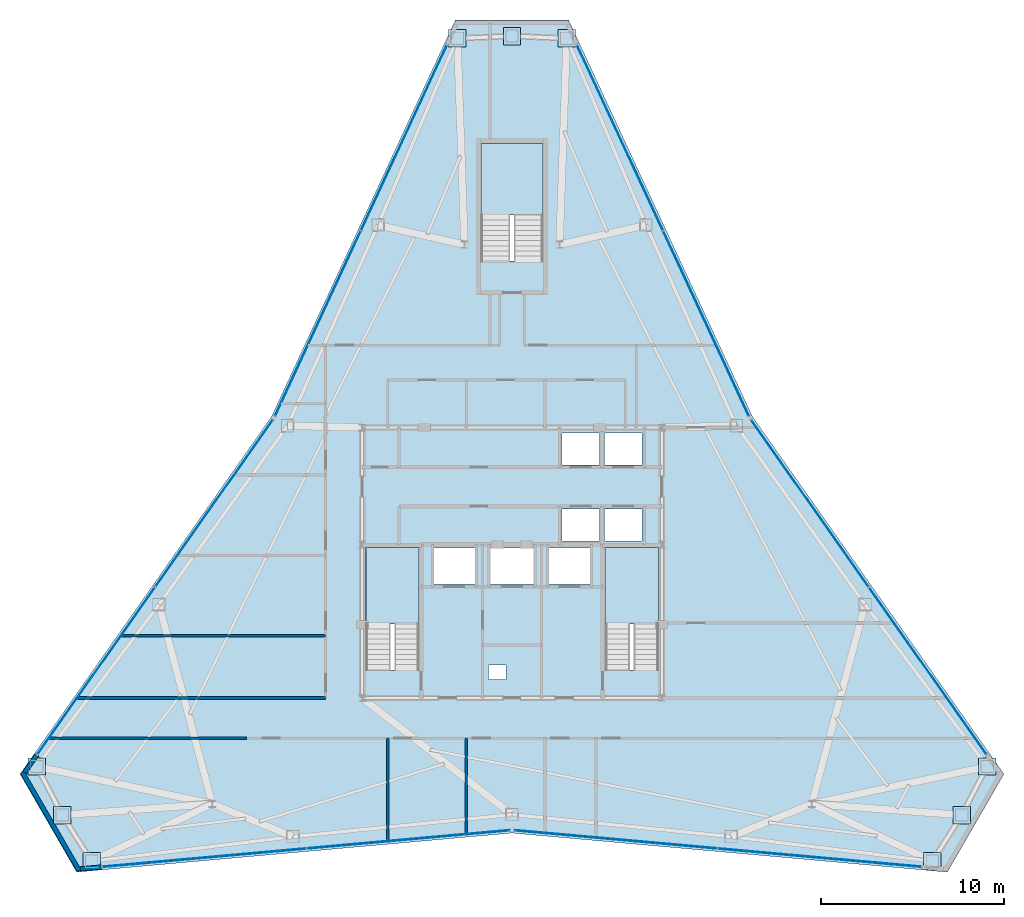
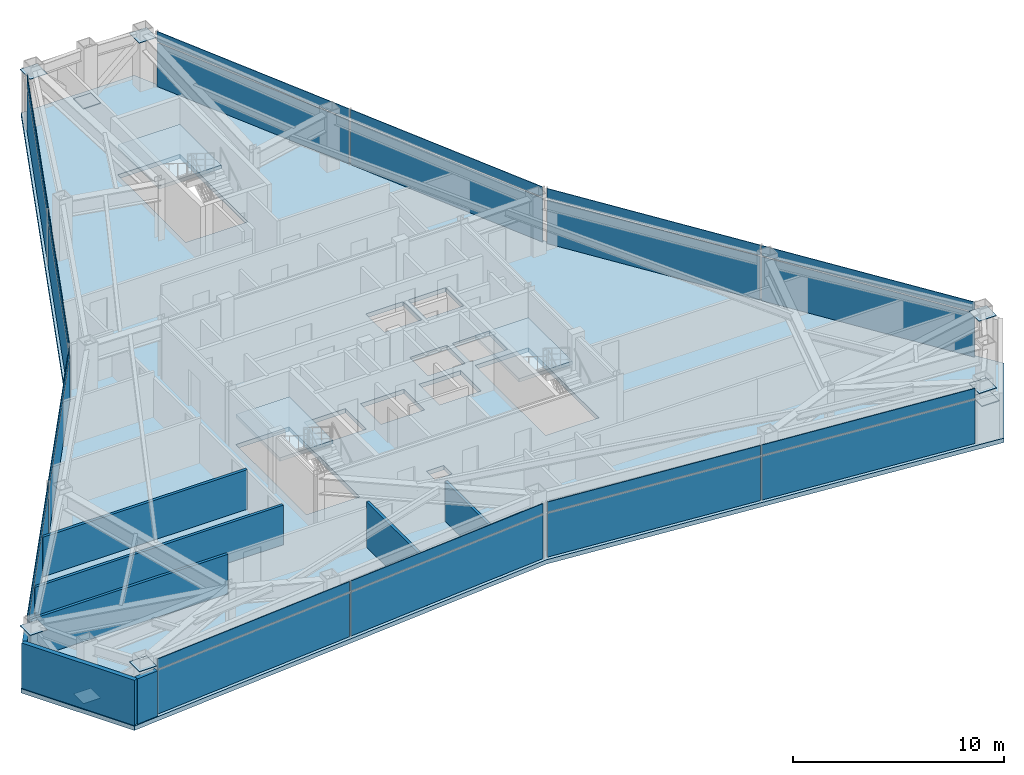
# One storey, part 8 of 12: 33 plates, 8 walls, 4 slabs, 9 elements without a shape of their own.
"""IFC4 building model written with IfcOpenShell, lengths in metres."""

from ifc_helpers import new_model, si_unit, direction, frame, frame_2d, origin, origin_2d, place, context, subcontext, project, spatial, polyline, rectangle, outline, extrude, source, transform, mapped, material, layer, layer_set, type_object, type_shapes, element, aggregate, save


model = new_model("IFC4")

# Units and contexts
model_context = context("Model", 3, precision=1e-05, world=origin(), true_north=direction((0.0, 1.0)))
body_context = subcontext(model_context, "Body", "Model", "MODEL_VIEW")
ifc_project = project(units=[si_unit("LENGTHUNIT", "METRE"), si_unit("AREAUNIT", "SQUARE_METRE"), si_unit("VOLUMEUNIT", "CUBIC_METRE"), si_unit("PLANEANGLEUNIT", "RADIAN"), si_unit("MASSUNIT", "GRAM", prefix="KILO")], contexts=[model_context])

# Site, building, storey
site_placement = place(None, origin())
site = spatial("IfcSite", under=ifc_project, at=site_placement, CompositionType="ELEMENT")
building_placement = place(site_placement, origin())
building = spatial("IfcBuilding", under=site, at=building_placement, Name="Varakhsha Concourse Tower", CompositionType="ELEMENT")
storey_placement = place(building_placement, frame((0.0, 0.0, 236.39990234375)))
storey = spatial("IfcBuildingStorey", under=building, at=storey_placement, Name="L67", CompositionType="ELEMENT", Elevation=236.39990234375)

# Slab
ifc_material_1 = material(Name="Concrete fc 45 MPa", Category="concrete")
ifc_layer_1 = layer(ifc_material_1, 0.25, Name="SL-FLR-250")
ifc_layer_set_1 = layer_set([ifc_layer_1], Name="Concrete fc 45 MPa")
slab_type_1 = type_object("IfcSlabType", Name="SL-FLR-250", PredefinedType="FLOOR", material=ifc_layer_set_1)
slab_1_placement = place(storey_placement, frame((0.0, 0.0, -0.25)))
element("IfcSlab", 1, at=slab_1_placement, inside=storey, type_object=slab_type_1, Name="L67 Composite Structural Slab", PredefinedType="FLOOR", context=body_context, shape_type="SweptSolid", body=[
    extrude(outline(polyline([(43.10009765625, 53.497314453125), (36.89990234375, 53.497314453125), (26.84130859375, 31.797119140625), (13.077880859375, 12.236083984375), (16.177734375, 6.86669921875), (40.0, 9.005615234375), (63.822265625, 6.86669921875), (66.922119140625, 12.236083984375), (53.15869140625, 31.797119140625), (43.10009765625, 53.497314453125)]), holes=[polyline([(34.919921875, 17.93994140625), (34.919921875, 24.6298828125), (32.0, 24.6298828125), (32.0, 17.93994140625), (34.919921875, 17.93994140625)]), polyline([(48.02001953125, 17.93994140625), (48.02001953125, 24.6298828125), (45.10009765625, 24.6298828125), (45.10009765625, 17.93994140625), (48.02001953125, 17.93994140625)]), polyline([(41.699951171875, 40.300048828125), (41.699951171875, 46.75), (38.300048828125, 46.75), (38.300048828125, 40.300048828125), (41.699951171875, 40.300048828125)]), polyline([(42.739990234375, 29.159912109375), (44.780029296875, 29.159912109375), (44.780029296875, 30.89990234375), (42.739990234375, 30.89990234375), (42.739990234375, 29.159912109375)]), polyline([(45.06005859375, 29.159912109375), (47.10009765625, 29.159912109375), (47.10009765625, 30.89990234375), (45.06005859375, 30.89990234375), (45.06005859375, 29.159912109375)]), polyline([(42.739990234375, 25.0), (44.780029296875, 25.0), (44.780029296875, 26.739990234375), (42.739990234375, 26.739990234375), (42.739990234375, 25.0)]), polyline([(45.06005859375, 25.0), (47.10009765625, 25.0), (47.10009765625, 26.739990234375), (45.06005859375, 26.739990234375), (45.06005859375, 25.0)]), polyline([(35.7099609375, 22.639892578125), (37.989990234375, 22.639892578125), (37.989990234375, 24.60009765625), (35.7099609375, 24.60009765625), (35.7099609375, 22.639892578125)]), polyline([(42.010009765625, 22.639892578125), (44.2900390625, 22.639892578125), (44.2900390625, 24.60009765625), (42.010009765625, 24.60009765625), (42.010009765625, 22.639892578125)]), polyline([(38.81005859375, 22.639892578125), (41.18994140625, 22.639892578125), (41.18994140625, 24.60009765625), (38.81005859375, 24.60009765625), (38.81005859375, 22.639892578125)]), polyline([(38.719970703125, 17.39990234375), (39.679931640625, 17.39990234375), (39.679931640625, 18.199951171875), (38.719970703125, 18.199951171875), (38.719970703125, 17.39990234375)])]), origin(), (0.0, 0.0, 1.0), 0.25),
])

# Stair, slab
stair_type_1 = type_object("IfcStairType", Name="ST-DOGLEG-1360", PredefinedType="HALF_TURN_STAIR", material=ifc_material_1)
stair_1_placement = place(storey_placement, origin())
stair_1 = element("IfcStair", 2, at=stair_1_placement, inside=storey, type_object=stair_type_1, Name="L67 Protected Exit Stair ST1", PredefinedType="HALF_TURN_STAIR")
ifc_layer_2 = layer(ifc_material_1, 0.199951171875, Name="SL-LAND-200")
ifc_layer_set_2 = layer_set([ifc_layer_2], Name="Concrete fc 45 MPa")
slab_type_2 = type_object("IfcSlabType", Name="SL-LAND-200", PredefinedType="LANDING", material=ifc_layer_set_2)
slab_2_placement = place(storey_placement, frame((0.0, 0.0, 1.550048828125)))
slab_2 = element("IfcSlab", 3, at=slab_2_placement, type_object=slab_type_2, Name="ST1 landing 1", PredefinedType="LANDING", context=body_context, shape_type="SweptSolid", body=[
    extrude(outline(polyline([(34.919921875, 20.4599609375), (34.919921875, 24.6298828125), (32.0, 24.6298828125), (32.0, 20.4599609375), (34.919921875, 20.4599609375)])), origin(), (0.0, 0.0, 1.0), 0.199951171875),
])
aggregate(stair_1, [slab_2])

stair_2_placement = place(storey_placement, origin())
stair_2 = element("IfcStair", 4, at=stair_2_placement, inside=storey, type_object=stair_type_1, Name="L67 Protected Exit Stair ST2", PredefinedType="HALF_TURN_STAIR")
slab_3_placement = place(storey_placement, frame((0.0, 0.0, 1.550048828125)))
slab_3 = element("IfcSlab", 5, at=slab_3_placement, type_object=slab_type_2, Name="ST2 landing 1", PredefinedType="LANDING", context=body_context, shape_type="SweptSolid", body=[
    extrude(outline(polyline([(48.02001953125, 20.4599609375), (48.02001953125, 24.6298828125), (45.10009765625, 24.6298828125), (45.10009765625, 20.4599609375), (48.02001953125, 20.4599609375)])), origin(), (0.0, 0.0, 1.0), 0.199951171875),
])
aggregate(stair_2, [slab_3])

stair_type_2 = type_object("IfcStairType", Name="ST-DOGLEG-1600", PredefinedType="HALF_TURN_STAIR", material=ifc_material_1)
stair_3_placement = place(storey_placement, origin())
stair_3 = element("IfcStair", 6, at=stair_3_placement, inside=storey, type_object=stair_type_2, Name="L67 Protected Exit Stair ST5", PredefinedType="HALF_TURN_STAIR")
slab_4_placement = place(storey_placement, frame((0.0, 0.0, 1.550048828125)))
slab_4 = element("IfcSlab", 7, at=slab_4_placement, type_object=slab_type_2, Name="ST5 landing 1", PredefinedType="LANDING", context=body_context, shape_type="SweptSolid", body=[
    extrude(outline(polyline([(41.699951171875, 42.820068359375), (41.699951171875, 46.75), (38.300048828125, 46.75), (38.300048828125, 42.820068359375), (41.699951171875, 42.820068359375)])), origin(), (0.0, 0.0, 1.0), 0.199951171875),
])
aggregate(stair_3, [slab_4])

# Plates
ifc_material_2 = material(Name="Structural Steel ASTM A572 Grade 50", Category="steel")
ifc_layer_3 = layer(ifc_material_2, 0.030029296875, Name="PL-ENDCAP-950")
ifc_layer_set_3 = layer_set([ifc_layer_3], Name="Structural Steel ASTM A572 Grade 50")
plate_type_1 = type_object("IfcPlateType", Name="PL-ENDCAP-950", PredefinedType="USERDEFINED", material=ifc_layer_set_3)
shared_shape_1 = source(origin(), body_context, "Body", "SweptSolid", [
    extrude(rectangle(XDim=0.949951171875, YDim=0.949951171875, at=origin_2d()), origin(), (0.0, 0.0, 1.0), 0.030029296875),
])
type_shapes(plate_type_1, [shared_shape_1])
for number, where, z_axis, x_axis, name in (
    (8, (40.0, 52.6171875, 0.10498046875), (0.0, 0.0, 1.0), (1.0, 0.0, 0.0), "Hollow Section End Cap GP-NODE-L67-0685"),
    (9, (42.993408203125, 52.490966796875, 2.93505859375), (0.0, 0.0, 1.0), (1.0, 0.0, 0.0), "Hollow Section End Cap GP-NODE-L67-0686"),
    (10, (37.006591796875, 52.490966796875, 2.93505859375), (0.0, 0.0, 1.0), (1.0, 0.0, 0.0), "Hollow Section End Cap GP-NODE-L67-0687"),
    (11, (15.389892578125, 9.9912109375, 0.10498046875), (0.0, 0.0, 1.0), (1.0, 0.0, 0.0), "Hollow Section End Cap GP-NODE-L67-0688"),
    (12, (14.002685546875, 12.64697265625, 2.93505859375), (0.0, 0.0, 1.0), (1.0, 0.0, 0.0), "Hollow Section End Cap GP-NODE-L67-0689"),
    (13, (16.99609375, 7.4619140625, 2.93505859375), (0.0, 0.0, 1.0), (1.0, 0.0, 0.0), "Hollow Section End Cap GP-NODE-L67-0690"),
    (14, (64.610107421875, 9.9912109375, 0.10498046875), (0.0, 0.0, 1.0), (1.0, 0.0, 0.0), "Hollow Section End Cap GP-NODE-L67-0691"),
    (15, (63.00390625, 7.4619140625, 2.93505859375), (0.0, 0.0, 1.0), (1.0, 0.0, 0.0), "Hollow Section End Cap GP-NODE-L67-0692"),
    (16, (65.997314453125, 12.64697265625, 2.93505859375), (0.0, 0.0, 1.0), (1.0, 0.0, 0.0), "Hollow Section End Cap GP-NODE-L67-0693"),
):
    element("IfcPlate", number, at=place(storey_placement, frame(where, z_axis=z_axis, x_axis=x_axis)), inside=storey, type_object=plate_type_1, Name=name, ObjectType="END PLATE", PredefinedType="USERDEFINED", context=body_context, shape_type="MappedRepresentation", body=[
        mapped(shared_shape_1, transform((0.0, 0.0, 0.0), scale=1.0)),
    ])

# Curtain wall, plates
ifc_material_3 = material(Name="Anodised Bronze Architectural Aluminium AA 6063-T6", Category="aluminium")
ifc_layer_4 = layer(ifc_material_3, 0.199951171875, Name="CW-SYS-05")
ifc_layer_set_4 = layer_set([ifc_layer_4], Name="Anodised Bronze Architectural Aluminium AA 6063-T6")
curtain_wall_type = type_object("IfcCurtainWallType", Name="CW-SYS-05", PredefinedType="NOTDEFINED", material=ifc_layer_set_4)
curtain_wall_1_placement = place(storey_placement, origin())
curtain_wall_1 = element("IfcCurtainWall", 17, at=curtain_wall_1_placement, inside=storey, type_object=curtain_wall_type, Name="L67 Crystal Curtain Wall F2", PredefinedType="NOTDEFINED")
ifc_material_4 = material(Name="Low-E Triple Insulating Glass IGU 44 mm", Category="glass")
ifc_layer_5 = layer(ifc_material_4, 0.0439453125, Name="CWP-IGU-44")
ifc_layer_set_5 = layer_set([ifc_layer_5], Name="Low-E Triple Insulating Glass IGU 44 mm")
plate_type_2 = type_object("IfcPlateType", Name="CWP-IGU-44", PredefinedType="CURTAIN_PANEL", material=ifc_layer_set_5)
shared_shape_2 = source(origin(), body_context, "Body", "SweptSolid", [
    extrude(rectangle(XDim=11.139892578125, YDim=0.0439453125, at=origin_2d()), origin(), (0.0, 0.0, 1.0), 2.535888671875),
])
type_shapes(plate_type_2, [shared_shape_2])
plate_1_placement = place(storey_placement, frame((29.377197265625, 36.88720703125, 0.0322265625), z_axis=(0.0, 0.0, 1.0), x_axis=(0.420546577212, 0.907270949824, 0.0)))
plate_1 = element("IfcPlate", 18, at=plate_1_placement, type_object=plate_type_2, Name="CW-L67-F2 Panel 00-00", PredefinedType="CURTAIN_PANEL", context=body_context, shape_type="MappedRepresentation", body=[
    mapped(shared_shape_2, transform((0.0, 0.0, 0.0), scale=1.0)),
])
plate_2_placement = place(storey_placement, frame((34.091064453125, 47.056884765625, 0.0322265625), z_axis=(0.0, 0.0, 1.0), x_axis=(0.420546577212, 0.907270949824, 0.0)))
plate_2 = element("IfcPlate", 19, at=plate_2_placement, type_object=plate_type_2, Name="CW-L67-F2 Panel 01-00", PredefinedType="CURTAIN_PANEL", context=body_context, shape_type="MappedRepresentation", body=[
    mapped(shared_shape_2, transform((0.0, 0.0, 0.0), scale=1.0)),
])

curtain_wall_2_placement = place(storey_placement, origin())
curtain_wall_2 = element("IfcCurtainWall", 20, at=curtain_wall_2_placement, inside=storey, type_object=curtain_wall_type, Name="L67 Crystal Curtain Wall F3", PredefinedType="NOTDEFINED")
plate_3_placement = place(storey_placement, frame((17.2509765625, 17.888916015625, 0.0322265625), z_axis=(0.0, 0.0, 1.0), x_axis=(0.575443547255, 0.817841502935, 0.0)))
plate_3 = element("IfcPlate", 21, at=plate_3_placement, type_object=plate_type_2, Name="CW-L67-F3 Panel 00-00", PredefinedType="CURTAIN_PANEL", context=body_context, shape_type="MappedRepresentation", body=[
    mapped(shared_shape_2, transform((0.0, 0.0, 0.0), scale=1.0)),
])
plate_4_placement = place(storey_placement, frame((23.700927734375, 27.05615234375, 0.0322265625), z_axis=(0.0, 0.0, 1.0), x_axis=(0.575443547255, 0.817841502935, 0.0)))
plate_4 = element("IfcPlate", 22, at=plate_4_placement, type_object=plate_type_2, Name="CW-L67-F3 Panel 01-00", PredefinedType="CURTAIN_PANEL", context=body_context, shape_type="MappedRepresentation", body=[
    mapped(shared_shape_2, transform((0.0, 0.0, 0.0), scale=1.0)),
])

curtain_wall_3_placement = place(storey_placement, origin())
curtain_wall_3 = element("IfcCurtainWall", 23, at=curtain_wall_3_placement, inside=storey, type_object=curtain_wall_type, Name="L67 Crystal Curtain Wall F5", PredefinedType="NOTDEFINED")
plate_5_placement = place(storey_placement, frame((34.323974609375, 8.656494140625, 0.0322265625), z_axis=(0.0, 0.0, 1.0), x_axis=(-0.995992823181, -0.089433193907, 0.0)))
plate_5 = element("IfcPlate", 24, at=plate_5_placement, type_object=plate_type_2, Name="CW-L67-F5 Panel 00-00", PredefinedType="CURTAIN_PANEL", context=body_context, shape_type="MappedRepresentation", body=[
    mapped(shared_shape_2, transform((0.0, 0.0, 0.0), scale=1.0)),
])
plate_6_placement = place(storey_placement, frame((23.159912109375, 7.654052734375, 0.0322265625), z_axis=(0.0, 0.0, 1.0), x_axis=(-0.995992823181, -0.089433193907, 0.0)))
plate_6 = element("IfcPlate", 25, at=plate_6_placement, type_object=plate_type_2, Name="CW-L67-F5 Panel 01-00", PredefinedType="CURTAIN_PANEL", context=body_context, shape_type="MappedRepresentation", body=[
    mapped(shared_shape_2, transform((0.0, 0.0, 0.0), scale=1.0)),
])

curtain_wall_4_placement = place(storey_placement, origin())
curtain_wall_4 = element("IfcCurtainWall", 26, at=curtain_wall_4_placement, inside=storey, type_object=curtain_wall_type, Name="L67 Crystal Curtain Wall F6", PredefinedType="NOTDEFINED")
plate_7_placement = place(storey_placement, frame((56.840087890625, 7.654052734375, 0.0322265625), z_axis=(0.0, 0.0, 1.0), x_axis=(-0.995992823181, 0.089433193907, 0.0)))
plate_7 = element("IfcPlate", 27, at=plate_7_placement, type_object=plate_type_2, Name="CW-L67-F6 Panel 00-00", PredefinedType="CURTAIN_PANEL", context=body_context, shape_type="MappedRepresentation", body=[
    mapped(shared_shape_2, transform((0.0, 0.0, 0.0), scale=1.0)),
])
plate_8_placement = place(storey_placement, frame((45.676025390625, 8.656494140625, 0.0322265625), z_axis=(0.0, 0.0, 1.0), x_axis=(-0.995992823181, 0.089433193907, 0.0)))
plate_8 = element("IfcPlate", 28, at=plate_8_placement, type_object=plate_type_2, Name="CW-L67-F6 Panel 01-00", PredefinedType="CURTAIN_PANEL", context=body_context, shape_type="MappedRepresentation", body=[
    mapped(shared_shape_2, transform((0.0, 0.0, 0.0), scale=1.0)),
])

curtain_wall_5_placement = place(storey_placement, origin())
curtain_wall_5 = element("IfcCurtainWall", 29, at=curtain_wall_5_placement, inside=storey, type_object=curtain_wall_type, Name="L67 Crystal Curtain Wall F8", PredefinedType="NOTDEFINED")
plate_9_placement = place(storey_placement, frame((56.299072265625, 27.05615234375, 0.0322265625), z_axis=(0.0, 0.0, 1.0), x_axis=(0.575443547255, -0.817841502935, 0.0)))
plate_9 = element("IfcPlate", 30, at=plate_9_placement, type_object=plate_type_2, Name="CW-L67-F8 Panel 00-00", PredefinedType="CURTAIN_PANEL", context=body_context, shape_type="MappedRepresentation", body=[
    mapped(shared_shape_2, transform((0.0, 0.0, 0.0), scale=1.0)),
])
plate_10_placement = place(storey_placement, frame((62.7490234375, 17.888916015625, 0.0322265625), z_axis=(0.0, 0.0, 1.0), x_axis=(0.575443547255, -0.817841502935, 0.0)))
plate_10 = element("IfcPlate", 31, at=plate_10_placement, type_object=plate_type_2, Name="CW-L67-F8 Panel 01-00", PredefinedType="CURTAIN_PANEL", context=body_context, shape_type="MappedRepresentation", body=[
    mapped(shared_shape_2, transform((0.0, 0.0, 0.0), scale=1.0)),
])

curtain_wall_6_placement = place(storey_placement, origin())
curtain_wall_6 = element("IfcCurtainWall", 32, at=curtain_wall_6_placement, inside=storey, type_object=curtain_wall_type, Name="L67 Crystal Curtain Wall F9", PredefinedType="NOTDEFINED")
plate_11_placement = place(storey_placement, frame((45.9091796875, 47.056884765625, 0.0322265625), z_axis=(0.0, 0.0, 1.0), x_axis=(0.420546577212, -0.907270949824, 0.0)))
plate_11 = element("IfcPlate", 33, at=plate_11_placement, type_object=plate_type_2, Name="CW-L67-F9 Panel 00-00", PredefinedType="CURTAIN_PANEL", context=body_context, shape_type="MappedRepresentation", body=[
    mapped(shared_shape_2, transform((0.0, 0.0, 0.0), scale=1.0)),
])
plate_12_placement = place(storey_placement, frame((50.623046875, 36.88720703125, 0.0322265625), z_axis=(0.0, 0.0, 1.0), x_axis=(0.420546577212, -0.907270949824, 0.0)))
plate_12 = element("IfcPlate", 34, at=plate_12_placement, type_object=plate_type_2, Name="CW-L67-F9 Panel 01-00", PredefinedType="CURTAIN_PANEL", context=body_context, shape_type="MappedRepresentation", body=[
    mapped(shared_shape_2, transform((0.0, 0.0, 0.0), scale=1.0)),
])

# Plate
ifc_material_5 = material(Name="Insulated Anodised Bronze Aluminium Spandrel 36 mm", Category="aluminium")
ifc_layer_6 = layer(ifc_material_5, 0.035888671875, Name="CWP-SPN-36")
ifc_layer_set_6 = layer_set([ifc_layer_6], Name="Insulated Anodised Bronze Aluminium Spandrel 36 mm")
plate_type_3 = type_object("IfcPlateType", Name="CWP-SPN-36", PredefinedType="USERDEFINED", material=ifc_layer_set_6)
shared_shape_3 = source(origin(), body_context, "Body", "SweptSolid", [
    extrude(rectangle(XDim=11.139892578125, YDim=0.035888671875, at=origin_2d()), origin(), (0.0, 0.0, 1.0), 0.5859375),
])
type_shapes(plate_type_3, [shared_shape_3])
plate_13_placement = place(storey_placement, frame((29.377197265625, 36.88720703125, 2.632080078125), z_axis=(0.0, 0.0, 1.0), x_axis=(0.420546577212, 0.907270949824, 0.0)))
plate_13 = element("IfcPlate", 35, at=plate_13_placement, type_object=plate_type_3, Name="CW-L67-F2 Panel 00-01", ObjectType="SPANDREL", PredefinedType="USERDEFINED", context=body_context, shape_type="MappedRepresentation", body=[
    mapped(shared_shape_3, transform((0.0, 0.0, 0.0), scale=1.0)),
])

plate_14_placement = place(storey_placement, frame((34.091064453125, 47.056884765625, 2.632080078125), z_axis=(0.0, 0.0, 1.0), x_axis=(0.420546577212, 0.907270949824, 0.0)))
plate_14 = element("IfcPlate", 36, at=plate_14_placement, type_object=plate_type_3, Name="CW-L67-F2 Panel 01-01", ObjectType="SPANDREL", PredefinedType="USERDEFINED", context=body_context, shape_type="MappedRepresentation", body=[
    mapped(shared_shape_3, transform((0.0, 0.0, 0.0), scale=1.0)),
])

aggregate(curtain_wall_1, [plate_1, plate_13, plate_2, plate_14])

plate_15_placement = place(storey_placement, frame((17.2509765625, 17.888916015625, 2.632080078125), z_axis=(0.0, 0.0, 1.0), x_axis=(0.575443547255, 0.817841502935, 0.0)))
plate_15 = element("IfcPlate", 37, at=plate_15_placement, type_object=plate_type_3, Name="CW-L67-F3 Panel 00-01", ObjectType="SPANDREL", PredefinedType="USERDEFINED", context=body_context, shape_type="MappedRepresentation", body=[
    mapped(shared_shape_3, transform((0.0, 0.0, 0.0), scale=1.0)),
])

plate_16_placement = place(storey_placement, frame((23.700927734375, 27.05615234375, 2.632080078125), z_axis=(0.0, 0.0, 1.0), x_axis=(0.575443547255, 0.817841502935, 0.0)))
plate_16 = element("IfcPlate", 38, at=plate_16_placement, type_object=plate_type_3, Name="CW-L67-F3 Panel 01-01", ObjectType="SPANDREL", PredefinedType="USERDEFINED", context=body_context, shape_type="MappedRepresentation", body=[
    mapped(shared_shape_3, transform((0.0, 0.0, 0.0), scale=1.0)),
])

aggregate(curtain_wall_2, [plate_3, plate_15, plate_4, plate_16])

plate_17_placement = place(storey_placement, frame((34.323974609375, 8.656494140625, 2.632080078125), z_axis=(0.0, 0.0, 1.0), x_axis=(-0.995992823181, -0.089433193907, 0.0)))
plate_17 = element("IfcPlate", 39, at=plate_17_placement, type_object=plate_type_3, Name="CW-L67-F5 Panel 00-01", ObjectType="SPANDREL", PredefinedType="USERDEFINED", context=body_context, shape_type="MappedRepresentation", body=[
    mapped(shared_shape_3, transform((0.0, 0.0, 0.0), scale=1.0)),
])

plate_18_placement = place(storey_placement, frame((23.159912109375, 7.654052734375, 2.632080078125), z_axis=(0.0, 0.0, 1.0), x_axis=(-0.995992823181, -0.089433193907, 0.0)))
plate_18 = element("IfcPlate", 40, at=plate_18_placement, type_object=plate_type_3, Name="CW-L67-F5 Panel 01-01", ObjectType="SPANDREL", PredefinedType="USERDEFINED", context=body_context, shape_type="MappedRepresentation", body=[
    mapped(shared_shape_3, transform((0.0, 0.0, 0.0), scale=1.0)),
])

aggregate(curtain_wall_3, [plate_5, plate_17, plate_6, plate_18])

plate_19_placement = place(storey_placement, frame((56.840087890625, 7.654052734375, 2.632080078125), z_axis=(0.0, 0.0, 1.0), x_axis=(-0.995992823181, 0.089433193907, 0.0)))
plate_19 = element("IfcPlate", 41, at=plate_19_placement, type_object=plate_type_3, Name="CW-L67-F6 Panel 00-01", ObjectType="SPANDREL", PredefinedType="USERDEFINED", context=body_context, shape_type="MappedRepresentation", body=[
    mapped(shared_shape_3, transform((0.0, 0.0, 0.0), scale=1.0)),
])

plate_20_placement = place(storey_placement, frame((45.676025390625, 8.656494140625, 2.632080078125), z_axis=(0.0, 0.0, 1.0), x_axis=(-0.995992823181, 0.089433193907, 0.0)))
plate_20 = element("IfcPlate", 42, at=plate_20_placement, type_object=plate_type_3, Name="CW-L67-F6 Panel 01-01", ObjectType="SPANDREL", PredefinedType="USERDEFINED", context=body_context, shape_type="MappedRepresentation", body=[
    mapped(shared_shape_3, transform((0.0, 0.0, 0.0), scale=1.0)),
])

aggregate(curtain_wall_4, [plate_7, plate_19, plate_8, plate_20])

plate_21_placement = place(storey_placement, frame((56.299072265625, 27.05615234375, 2.632080078125), z_axis=(0.0, 0.0, 1.0), x_axis=(0.575443547255, -0.817841502935, 0.0)))
plate_21 = element("IfcPlate", 43, at=plate_21_placement, type_object=plate_type_3, Name="CW-L67-F8 Panel 00-01", ObjectType="SPANDREL", PredefinedType="USERDEFINED", context=body_context, shape_type="MappedRepresentation", body=[
    mapped(shared_shape_3, transform((0.0, 0.0, 0.0), scale=1.0)),
])

plate_22_placement = place(storey_placement, frame((62.7490234375, 17.888916015625, 2.632080078125), z_axis=(0.0, 0.0, 1.0), x_axis=(0.575443547255, -0.817841502935, 0.0)))
plate_22 = element("IfcPlate", 44, at=plate_22_placement, type_object=plate_type_3, Name="CW-L67-F8 Panel 01-01", ObjectType="SPANDREL", PredefinedType="USERDEFINED", context=body_context, shape_type="MappedRepresentation", body=[
    mapped(shared_shape_3, transform((0.0, 0.0, 0.0), scale=1.0)),
])

aggregate(curtain_wall_5, [plate_9, plate_21, plate_10, plate_22])

plate_23_placement = place(storey_placement, frame((45.9091796875, 47.056884765625, 2.632080078125), z_axis=(0.0, 0.0, 1.0), x_axis=(0.420546577212, -0.907270949824, 0.0)))
plate_23 = element("IfcPlate", 45, at=plate_23_placement, type_object=plate_type_3, Name="CW-L67-F9 Panel 00-01", ObjectType="SPANDREL", PredefinedType="USERDEFINED", context=body_context, shape_type="MappedRepresentation", body=[
    mapped(shared_shape_3, transform((0.0, 0.0, 0.0), scale=1.0)),
])

plate_24_placement = place(storey_placement, frame((50.623046875, 36.88720703125, 2.632080078125), z_axis=(0.0, 0.0, 1.0), x_axis=(0.420546577212, -0.907270949824, 0.0)))
plate_24 = element("IfcPlate", 46, at=plate_24_placement, type_object=plate_type_3, Name="CW-L67-F9 Panel 01-01", ObjectType="SPANDREL", PredefinedType="USERDEFINED", context=body_context, shape_type="MappedRepresentation", body=[
    mapped(shared_shape_3, transform((0.0, 0.0, 0.0), scale=1.0)),
])

aggregate(curtain_wall_6, [plate_11, plate_23, plate_12, plate_24])

# Walls
ifc_layer_7 = layer(ifc_material_1, 0.239990234375, Name="WL-EXT-CRN-240")
ifc_layer_set_7 = layer_set([ifc_layer_7], Name="Concrete fc 45 MPa")
wall_type_1 = type_object("IfcWallType", Name="WL-EXT-CRN-240", PredefinedType="SHEAR", material=ifc_layer_set_7)
wall_1_placement = place(storey_placement, frame((14.007080078125, 13.27880859375, 0.0), z_axis=(0.0, 0.0, 1.0), x_axis=(-0.575467507086, -0.817824643972, 0.0)))
element("IfcWall", 47, at=wall_1_placement, inside=storey, type_object=wall_type_1, Name="L67 Wind-Corner Shoulder Wall F3", PredefinedType="SHEAR", context=body_context, shape_type="SweptSolid", body=[
    extrude(rectangle(XDim=1.16748046875, YDim=0.239990234375, at=frame_2d((0.583740234375, 0.0))), origin(), (0.0, 0.0, 1.0), 2.623046875),
])
wall_2_placement = place(storey_placement, frame((16.31640625, 6.946533203125, 0.0), z_axis=(0.0, 0.0, 1.0), x_axis=(-0.500009909098, 0.866019682689, 0.0)))
element("IfcWall", 48, at=wall_2_placement, inside=storey, type_object=wall_type_1, Name="L67 Chamfer Wind-Corner Insulated Wall F4", PredefinedType="SHEAR", context=body_context, shape_type="SweptSolid", body=[
    extrude(rectangle(XDim=6.199951171875, YDim=0.239990234375, at=frame_2d((3.10009765625, 0.0))), origin(), (0.0, 0.0, 1.0), 2.623046875),
])
wall_3_placement = place(storey_placement, frame((16.382568359375, 7.045654296875, 0.0), z_axis=(0.0, 0.0, 1.0), x_axis=(0.996005555759, 0.08929128119, 0.0)))
element("IfcWall", 49, at=wall_3_placement, inside=storey, type_object=wall_type_1, Name="L67 Wind-Corner Shoulder Wall F5", PredefinedType="SHEAR", context=body_context, shape_type="SweptSolid", body=[
    extrude(rectangle(XDim=1.16748046875, YDim=0.239990234375, at=frame_2d((0.583740234375, 0.0))), origin(), (0.0, 0.0, 1.0), 2.623046875),
])
ifc_material_6 = material(Name="Fire-Rated Type X Gypsum Partition Assembly", Category="gypsum")
ifc_layer_8 = layer(ifc_material_6, 0.14990234375, Name="WL-PART-150")
ifc_layer_set_8 = layer_set([ifc_layer_8], Name="Fire-Rated Type X Gypsum Partition Assembly")
wall_type_2 = type_object("IfcWallType", Name="WL-PART-150", PredefinedType="PARTITIONING", material=ifc_layer_set_8)
wall_4_placement = place(storey_placement, frame((14.661376953125, 14.199951171875, 0.0), z_axis=(0.0, 0.0, 1.0), x_axis=(1.0, 0.0, 0.0)))
element("IfcWall", 50, at=wall_4_placement, inside=storey, type_object=wall_type_2, Name="L67 Wall CRW-SGAL-SW-L67", PredefinedType="PARTITIONING", context=body_context, shape_type="SweptSolid", body=[
    extrude(rectangle(XDim=10.838623046875, YDim=0.14990234375, at=frame_2d((5.41943359375, 0.0))), origin(), (0.0, 0.0, 1.0), 2.2919921875),
])
wall_5_placement = place(storey_placement, frame((16.20947265625, 16.39990234375, 0.0), z_axis=(0.0, 0.0, 1.0), x_axis=(1.0, 0.0, 0.0)))
element("IfcWall", 51, at=wall_5_placement, inside=storey, type_object=wall_type_2, Name="L67 Wall CRW-SGAL-NW-L67", PredefinedType="PARTITIONING", context=body_context, shape_type="SweptSolid", body=[
    extrude(rectangle(XDim=13.590576171875, YDim=0.14990234375, at=frame_2d((6.79541015625, 0.0))), origin(), (0.0, 0.0, 1.0), 2.2919921875),
])
wall_6_placement = place(storey_placement, frame((33.199951171875, 8.560791015625, 0.0), z_axis=(0.0, 0.0, 1.0), x_axis=(0.0, 1.0, 0.0)))
element("IfcWall", 52, at=wall_6_placement, inside=storey, type_object=wall_type_2, Name="L67 Wall ODIV-S1-L67", PredefinedType="PARTITIONING", context=body_context, shape_type="SweptSolid", body=[
    extrude(rectangle(XDim=5.63916015625, YDim=0.14990234375, at=frame_2d((2.819580078125, 0.0))), origin(), (0.0, 0.0, 1.0), 2.628173828125),
])
wall_7_placement = place(storey_placement, frame((37.5, 8.94677734375, 0.0), z_axis=(0.0, 0.0, 1.0), x_axis=(0.0, 1.0, 0.0)))
element("IfcWall", 53, at=wall_7_placement, inside=storey, type_object=wall_type_2, Name="L67 Wall ODIV-S2-L67", PredefinedType="PARTITIONING", context=body_context, shape_type="SweptSolid", body=[
    extrude(rectangle(XDim=5.253173828125, YDim=0.14990234375, at=frame_2d((2.62646484375, 0.0))), origin(), (0.0, 0.0, 1.0), 2.2919921875),
])
wall_8_placement = place(storey_placement, frame((18.601806640625, 19.800048828125, 0.0), z_axis=(0.0, 0.0, 1.0), x_axis=(1.0, 0.0, 0.0)))
element("IfcWall", 54, at=wall_8_placement, inside=storey, type_object=wall_type_2, Name="L67 Wall ODIV-W1-L67", PredefinedType="PARTITIONING", context=body_context, shape_type="SweptSolid", body=[
    extrude(rectangle(XDim=11.1982421875, YDim=0.14990234375, at=frame_2d((5.59912109375, 0.0))), origin(), (0.0, 0.0, 1.0), 2.2919921875),
])

save(model, "model.ifc")
